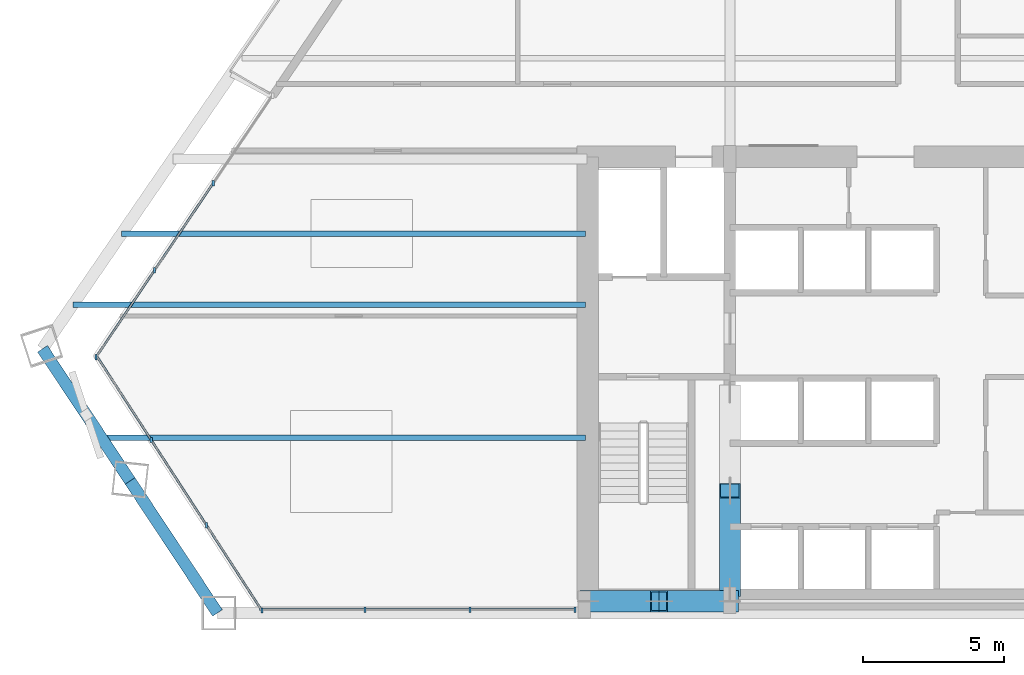
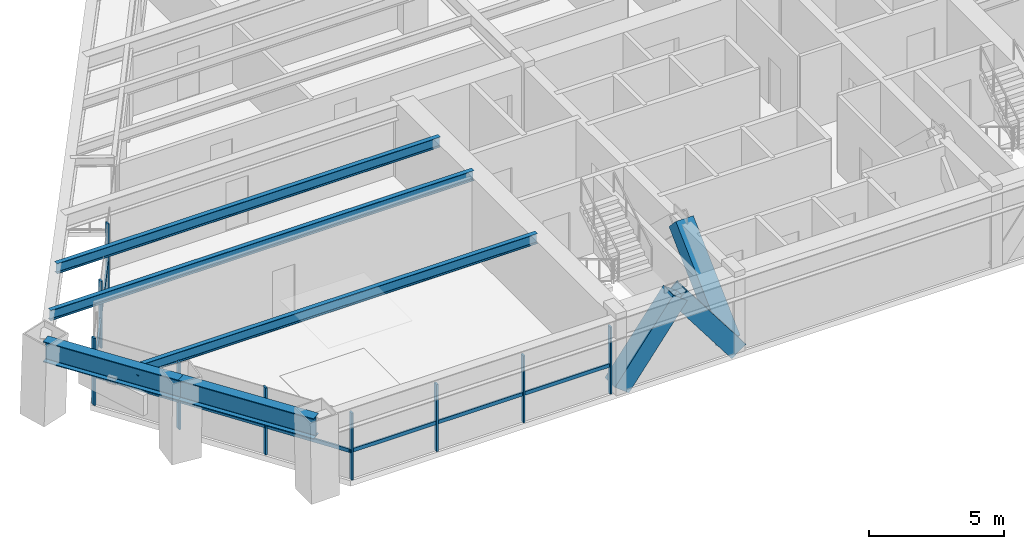
# One storey, part 2 of 14: 20 members, 5 beams, 3 elements without a shape of their own.
"""IFC4 building model written with IfcOpenShell, lengths in metres."""

import ifcopenshell
import ifcopenshell.guid

model = None  # the IFC model being written
_history = None  # IfcOwnerHistory: only IFC2X3 demands one
_inside = {}  # id of a spatial element -> (the spatial element, [elements in it])
_under = {}  # id of a project, library or spatial element -> (it, [spatial elements below it])
_declared = {}  # id of a project -> (the project, [libraries it declares])
_typed = {}  # id of a type object -> (the type object, [elements of that type])
_made_of = {}  # id of a material, layer set ... -> (it, [elements and type objects made of it])


def new_model(schema):
    """Start an empty IFC model of exactly this schema.

    Asked for "IFC4X3", IfcOpenShell would pick the latest addendum, in which some entities
    have other attributes; the version numbers below select the first issue.
    IFC2X3 requires an IfcOwnerHistory on every rooted entity: one is made here for all.
    """
    global model, _history
    if schema == "IFC4X3":
        model = ifcopenshell.file(schema_version=(4, 3, 0, 0))
    else:
        model = ifcopenshell.file(schema=schema)
    _inside.clear()
    _under.clear()
    _declared.clear()
    _typed.clear()
    _made_of.clear()
    _history = None
    if model.schema == "IFC2X3":
        org = make("IfcOrganization", Name="unknown")
        user = make(
            "IfcPersonAndOrganization",
            ThePerson=make("IfcPerson", FamilyName="unknown"),
            TheOrganization=org,
        )
        app = make(
            "IfcApplication",
            ApplicationDeveloper=org,
            Version="unknown",
            ApplicationFullName="unknown",
            ApplicationIdentifier="unknown",
        )
        _history = make(
            "IfcOwnerHistory",
            OwningUser=user,
            OwningApplication=app,
            ChangeAction="ADDED",
            CreationDate=0,
        )
    return model


def make(cls, **values):
    """One entity of the class cls with the attributes given. An attribute that is None is left unset."""
    return model.create_entity(
        cls, **{name: value for name, value in values.items() if value is not None}
    )


def rooted(cls, **values):
    """An entity with a GlobalId (a new one), such as an element, a storey or a relation."""
    return make(cls, GlobalId=ifcopenshell.guid.new(), OwnerHistory=_history, **values)


def si_unit(unit_type, name, prefix=None):
    """IfcSIUnit, for example si_unit("LENGTHUNIT", "METRE", prefix="MILLI")."""
    return make("IfcSIUnit", UnitType=unit_type, Prefix=prefix, Name=name)


def assignment(units):
    """IfcUnitAssignment: the units of a project."""
    return None if units is None else make("IfcUnitAssignment", Units=units)


def point(xyz):
    """IfcCartesianPoint."""
    return None if xyz is None else make("IfcCartesianPoint", Coordinates=xyz)


def direction(xyz):
    """IfcDirection."""
    return None if xyz is None else make("IfcDirection", DirectionRatios=xyz)


def frame(location, z_axis=None, x_axis=None):
    """IfcAxis2Placement3D, a coordinate frame: its origin and axes. An axis left out is left unset."""
    return make(
        "IfcAxis2Placement3D",
        Location=point(location),
        Axis=direction(z_axis),
        RefDirection=direction(x_axis),
    )


def frame_2d(location, x_axis=None):
    """IfcAxis2Placement2D, a coordinate frame in the plane: its origin and x axis."""
    return make(
        "IfcAxis2Placement2D", Location=point(location), RefDirection=direction(x_axis)
    )


def origin():
    """The frame at (0, 0, 0) with its axes left unset."""
    return frame((0.0, 0.0, 0.0))


def origin_2d():
    """The frame at (0, 0) in the plane with its x axis left unset."""
    return frame_2d((0.0, 0.0))


def place(relative_to, where):
    """IfcLocalPlacement: puts the frame where relative to a parent placement (None: the world)."""
    return make(
        "IfcLocalPlacement", PlacementRelTo=relative_to, RelativePlacement=where
    )


def context(
    kind, dimensions, precision=None, world=None, true_north=None, identifier=None
):
    """IfcGeometricRepresentationContext, for example the 3D "Model" context."""
    return make(
        "IfcGeometricRepresentationContext",
        ContextIdentifier=identifier,
        ContextType=kind,
        CoordinateSpaceDimension=dimensions,
        Precision=precision,
        WorldCoordinateSystem=world,
        TrueNorth=true_north,
    )


def subcontext(parent, identifier, kind, view, scale=None):
    """IfcGeometricRepresentationSubContext, for example "Body" below "Model"."""
    return make(
        "IfcGeometricRepresentationSubContext",
        ContextIdentifier=identifier,
        ContextType=kind,
        ParentContext=parent,
        TargetScale=scale,
        TargetView=view,
    )


def project(units=None, contexts=None):
    """IfcProject with its units and contexts."""
    return rooted(
        "IfcProject",
        Name="project",
        RepresentationContexts=contexts,
        UnitsInContext=assignment(units),
    )


def spatial(cls, under=None, at=None, **own):
    """A site, building, storey or space (cls), placed at a placement, below another one or the project."""
    s = rooted(cls, ObjectPlacement=at, **own)
    if under is not None:
        _under.setdefault(under.id(), (under, []))[1].append(s)
    return s


def profile(cls, at=None, kind="AREA", **sizes):
    """A parametric profile (cls). Its sizes go by their IFC names, for example OverallWidth=200.0."""
    return make(cls, ProfileType=kind, Position=at, **sizes)


def rectangle(**sizes):
    """IfcRectangleProfileDef."""
    return profile("IfcRectangleProfileDef", **sizes)


def hollow_rectangle(**sizes):
    """IfcRectangleHollowProfileDef."""
    return profile("IfcRectangleHollowProfileDef", **sizes)


def i_section(**sizes):
    """IfcIShapeProfileDef."""
    return profile("IfcIShapeProfileDef", **sizes)


def extrude(swept, where, along, depth):
    """IfcExtrudedAreaSolid: the profile swept, set in the frame where, extruded along a direction by depth."""
    return make(
        "IfcExtrudedAreaSolid",
        SweptArea=swept,
        Position=where,
        ExtrudedDirection=direction(along),
        Depth=depth,
    )


def shape(context_of_items, identifier, shape_type, items):
    """IfcShapeRepresentation: the items that make up one representation, for example the "Body"."""
    return make(
        "IfcShapeRepresentation",
        ContextOfItems=context_of_items,
        RepresentationIdentifier=identifier,
        RepresentationType=shape_type,
        Items=items,
    )


def source(mapping_origin, context_of_items, identifier, shape_type, items):
    """IfcRepresentationMap: a shape defined once, which mapped items show again and again."""
    return make(
        "IfcRepresentationMap",
        MappingOrigin=mapping_origin,
        MappedRepresentation=shape(context_of_items, identifier, shape_type, items),
    )


def transform(
    local_origin,
    x_axis=None,
    y_axis=None,
    z_axis=None,
    scale=None,
    scale2=None,
    scale3=None,
    uniform=True,
):
    """IfcCartesianTransformationOperator3D, or its non-uniform kind. x_axis, y_axis, z_axis: its Axis1, 2, 3."""
    if uniform:
        return make(
            "IfcCartesianTransformationOperator3D",
            Axis1=direction(x_axis),
            Axis2=direction(y_axis),
            LocalOrigin=point(local_origin),
            Scale=scale,
            Axis3=direction(z_axis),
        )
    return make(
        "IfcCartesianTransformationOperator3DnonUniform",
        Axis1=direction(x_axis),
        Axis2=direction(y_axis),
        LocalOrigin=point(local_origin),
        Scale=scale,
        Axis3=direction(z_axis),
        Scale2=scale2,
        Scale3=scale3,
    )


def mapped(mapping_source, mapping_target):
    """IfcMappedItem: shows the shape of a source again, moved by a transform."""
    return make(
        "IfcMappedItem", MappingSource=mapping_source, MappingTarget=mapping_target
    )


def material(Name=None, Category=None):
    """IfcMaterial."""
    return make("IfcMaterial", Name=Name, Category=Category)


def material_profile(
    of_material, cross_section, Name=None, Category=None, Priority=None
):
    """IfcMaterialProfile: a cross section and its material."""
    return make(
        "IfcMaterialProfile",
        Name=Name,
        Material=of_material,
        Profile=cross_section,
        Priority=Priority,
        Category=Category,
    )


def profile_set(profiles, Name=None, composite=None):
    """IfcMaterialProfileSet."""
    return make(
        "IfcMaterialProfileSet",
        Name=Name,
        MaterialProfiles=profiles,
        CompositeProfile=composite,
    )


def made_of(thing, what):
    """Note that an element or type object is made of a material, layer set ...; save() writes the relation."""
    if what is not None:
        _made_of.setdefault(what.id(), (what, []))[1].append(thing)
    return thing


def type_object(cls, material=None, **own):
    """A type object (cls), such as IfcWallType, which elements share."""
    return made_of(rooted(cls, **own), material)


def type_shapes(of_type, sources):
    """Give a type object the sources (RepresentationMaps) that its elements show as mapped items."""
    of_type.RepresentationMaps = sources


def element(
    cls,
    number,
    at=None,
    inside=None,
    cuts=None,
    type_object=None,
    material=None,
    context=None,
    identifier="Body",
    shape_type=None,
    held_by="IfcProductDefinitionShape",
    body=None,
    shapes=None,
    **own,
):
    """One element of the class cls, such as IfcWall. Its Tag is "e" and its number.

    at: its placement. inside: the storey or other place that contains it. cuts: it is an
    opening in that element (IfcRelVoidsElement). A single representation is given by context,
    identifier, shape_type and body (its items); several are given by shapes. held_by: the class
    of the entity that holds the representations. save() writes the other relations.
    """
    e = rooted(cls, Tag="e%d" % number, ObjectPlacement=at, **own)
    if body is not None:
        shapes = [shape(context, identifier, shape_type, body)]
    if shapes is not None:
        e.Representation = make(held_by, Representations=shapes)
    if inside is not None:
        _inside.setdefault(inside.id(), (inside, []))[1].append(e)
    if cuts is not None:
        rooted(
            "IfcRelVoidsElement", RelatingBuildingElement=cuts, RelatedOpeningElement=e
        )
    if type_object is not None:
        _typed.setdefault(type_object.id(), (type_object, []))[1].append(e)
    return made_of(e, material)


def aggregate(whole, parts):
    """IfcRelAggregates: a whole, such as a stair, and the parts it consists of."""
    return rooted("IfcRelAggregates", RelatingObject=whole, RelatedObjects=parts)


def save(model, path):
    """Write the relations noted so far, then the file.

    IfcRelAggregates (storeys below a building ...), IfcRelContainedInSpatialStructure (elements
    in a storey), IfcRelDefinesByType, IfcRelAssociatesMaterial and IfcRelDeclares: one each for
    every whole, place, type object, material and project.
    """
    for whole, parts in _under.values():
        aggregate(whole, parts)
    for where, things in _inside.values():
        rooted(
            "IfcRelContainedInSpatialStructure",
            RelatedElements=things,
            RelatingStructure=where,
        )
    for kind, things in _typed.values():
        rooted("IfcRelDefinesByType", RelatedObjects=things, RelatingType=kind)
    for what, things in _made_of.values():
        rooted("IfcRelAssociatesMaterial", RelatedObjects=things, RelatingMaterial=what)
    for by, libraries in _declared.values():
        rooted("IfcRelDeclares", RelatingContext=by, RelatedDefinitions=libraries)
    model.write(path)


model = new_model("IFC4")

# Units and contexts
model_context = context("Model", 3, precision=1e-05, world=origin(), true_north=direction((0.0, 1.0)))
body_context = subcontext(model_context, "Body", "Model", "MODEL_VIEW")
ifc_project = project(units=[si_unit("LENGTHUNIT", "METRE"), si_unit("AREAUNIT", "SQUARE_METRE"), si_unit("VOLUMEUNIT", "CUBIC_METRE"), si_unit("PLANEANGLEUNIT", "RADIAN"), si_unit("MASSUNIT", "GRAM", prefix="KILO")], contexts=[model_context])

# Site, building, storey
site_placement = place(None, origin())
site = spatial("IfcSite", under=ifc_project, at=site_placement, CompositionType="ELEMENT")
building_placement = place(site_placement, origin())
building = spatial("IfcBuilding", under=site, at=building_placement, Name="Varnakhor Terracotta Tower", CompositionType="ELEMENT")
storey_placement = place(building_placement, frame((0.0, 0.0, 91.39990234375)))
storey = spatial("IfcBuildingStorey", under=building, at=storey_placement, Name="L22", CompositionType="ELEMENT", Elevation=91.39990234375)

# Members
ifc_material_1 = material(Name="Steel S460", Category="steel")
ifc_material_profile_1 = material_profile(ifc_material_1, hollow_rectangle(XDim=0.75, YDim=0.75, WallThickness=0.044921875, at=origin_2d()), Name="HSS750X750X45")
ifc_profile_set_1 = profile_set([ifc_material_profile_1], Name="Steel S460")
member_type_1 = type_object("IfcMemberType", Name="MBR-MEGA-750", PredefinedType="BRACE", material=ifc_profile_set_1)
shared_shape_1 = source(origin(), body_context, "Body", "SweptSolid", [
    extrude(hollow_rectangle(XDim=0.75, YDim=0.75, WallThickness=0.044921875, at=origin_2d()), origin(), (0.0, 0.0, 1.0), 4.14013671875),
])
type_shapes(member_type_1, [shared_shape_1])
for number, where, z_axis, x_axis, name in (
    (1, (-10.5, 0.419921875, 0.0), (0.603852011179, 0.0, 0.797096448741), (0.0, 1.0, 0.0), "L22 Core Coupled Brace CSWA"),
    (2, (-5.5, 0.419921875, 0.0), (-0.603852011179, 0.0, 0.797096448741), (0.0, -1.0, 0.0), "L22 Core Coupled Brace CSWB"),
):
    element("IfcMember", number, at=place(storey_placement, frame(where, z_axis=z_axis, x_axis=x_axis)), inside=storey, type_object=member_type_1, Name=name, PredefinedType="BRACE", context=body_context, shape_type="MappedRepresentation", body=[
        mapped(shared_shape_1, transform((0.0, 0.0, 0.0), scale=1.0)),
    ])
shared_shape_2 = source(origin(), body_context, "Body", "SweptSolid", [
    extrude(hollow_rectangle(XDim=0.75, YDim=0.75, WallThickness=0.044921875, at=origin_2d()), origin(), (0.0, 0.0, 1.0), 4.792236328125),
])
member_1_placement = place(storey_placement, frame((-5.5, 0.85009765625, 0.0), z_axis=(0.0, 0.725110085518, 0.688632967466), x_axis=(-1.0, 0.0, 0.0)))
element("IfcMember", 3, at=member_1_placement, inside=storey, type_object=member_type_1, Name="L22 Core Coupled Brace CWWA", PredefinedType="BRACE", context=body_context, shape_type="MappedRepresentation", body=[
    mapped(shared_shape_2, transform((0.0, 0.0, 0.0), scale=1.0)),
])

# Beams
ifc_material_2 = material(Name="Steel S355", Category="steel")
ifc_material_profile_2 = material_profile(ifc_material_2, i_section(OverallWidth=0.41796875, OverallDepth=0.927001953125, WebThickness=0.01904296875, FlangeThickness=0.031982421875, FilletRadius=0.01806640625, at=origin_2d()), Name="W36X231")
ifc_profile_set_2 = profile_set([ifc_material_profile_2], Name="Steel S355")
beam_type_1 = type_object("IfcBeamType", Name="BM-W36X231", PredefinedType="BEAM", material=ifc_profile_set_2)
shared_shape_3 = source(origin(), body_context, "Body", "SweptSolid", [
    extrude(i_section(OverallWidth=0.41796875, OverallDepth=0.927001953125, WebThickness=0.01904296875, FlangeThickness=0.031982421875, FilletRadius=0.01806640625, at=origin_2d()), origin(), (0.0, 0.0, 1.0), 5.599609375),
])
for number, where, z_axis, x_axis, name in (
    (4, (-29.789794921875, 9.3369140625, 2.986572265625), (0.552192366042, -0.833716733001, 0.0), (0.833716733001, 0.552192366042, 0.0), "L22 Perimeter Spandrel 7"),
    (5, (-26.69775390625, 4.66845703125, 2.986572265625), (0.552192366042, -0.833716733001, 0.0), (0.833716733001, 0.552192366042, 0.0), "L22 Perimeter Spandrel 8"),
):
    element("IfcBeam", number, at=place(storey_placement, frame(where, z_axis=z_axis, x_axis=x_axis)), inside=storey, type_object=beam_type_1, Name=name, PredefinedType="BEAM", context=body_context, shape_type="MappedRepresentation", body=[
        mapped(shared_shape_3, transform((0.0, 0.0, 0.0), scale=1.0)),
    ])
ifc_material_profile_3 = material_profile(ifc_material_2, i_section(OverallWidth=0.19189453125, OverallDepth=0.462890625, WebThickness=0.010498046875, FlangeThickness=0.017578125, FilletRadius=0.01806640625, at=origin_2d()), Name="W18X60")
ifc_profile_set_3 = profile_set([ifc_material_profile_3], Name="Steel S355")
beam_type_2 = type_object("IfcBeamType", Name="JST-W18X60", PredefinedType="JOIST", material=ifc_profile_set_3)
shared_shape_4 = source(origin(), body_context, "Body", "SweptSolid", [
    extrude(i_section(OverallWidth=0.19189453125, OverallDepth=0.462890625, WebThickness=0.010498046875, FlangeThickness=0.017578125, FilletRadius=0.01806640625, at=origin_2d()), origin(), (0.0, 0.0, 1.0), 17.112060546875),
])
beam_1_placement = place(storey_placement, frame((-27.712158203125, 6.199951171875, 3.218505859375), z_axis=(1.0, 0.0, 0.0), x_axis=(0.0, 1.0, 0.0)))
element("IfcBeam", 6, at=beam_1_placement, inside=storey, type_object=beam_type_2, Name="L22 Floor Joist W1", PredefinedType="JOIST", context=body_context, shape_type="MappedRepresentation", body=[
    mapped(shared_shape_4, transform((0.0, 0.0, 0.0), scale=1.0)),
])
shared_shape_5 = source(origin(), body_context, "Body", "SweptSolid", [
    extrude(i_section(OverallWidth=0.19189453125, OverallDepth=0.462890625, WebThickness=0.010498046875, FlangeThickness=0.017578125, FilletRadius=0.01806640625, at=origin_2d()), origin(), (0.0, 0.0, 1.0), 18.11669921875),
])
beam_2_placement = place(storey_placement, frame((-28.716796875, 10.89990234375, 3.218505859375), z_axis=(1.0, 0.0, 0.0), x_axis=(0.0, 1.0, 0.0)))
element("IfcBeam", 7, at=beam_2_placement, inside=storey, type_object=beam_type_2, Name="L22 Floor Joist W2", PredefinedType="JOIST", context=body_context, shape_type="MappedRepresentation", body=[
    mapped(shared_shape_5, transform((0.0, 0.0, 0.0), scale=1.0)),
])
shared_shape_6 = source(origin(), body_context, "Body", "SweptSolid", [
    extrude(i_section(OverallWidth=0.19189453125, OverallDepth=0.462890625, WebThickness=0.010498046875, FlangeThickness=0.017578125, FilletRadius=0.01806640625, at=origin_2d()), origin(), (0.0, 0.0, 1.0), 16.400390625),
])
beam_3_placement = place(storey_placement, frame((-27.00048828125, 13.39990234375, 3.218505859375), z_axis=(1.0, 0.0, 0.0), x_axis=(0.0, 1.0, 0.0)))
element("IfcBeam", 8, at=beam_3_placement, inside=storey, type_object=beam_type_2, Name="L22 Floor Joist W3", PredefinedType="JOIST", context=body_context, shape_type="MappedRepresentation", body=[
    mapped(shared_shape_6, transform((0.0, 0.0, 0.0), scale=1.0)),
])

# Curtain wall, members
ifc_material_3 = material(Name="Anodised Aluminium Curtain Wall System", Category="aluminium")
curtain_wall_type = type_object("IfcCurtainWallType", Name="CW-SYS-LOW-OFFICE", PredefinedType="NOTDEFINED", material=ifc_material_3)
curtain_wall_1_placement = place(storey_placement, origin())
curtain_wall_1 = element("IfcCurtainWall", 9, at=curtain_wall_1_placement, inside=storey, type_object=curtain_wall_type, Name="L22 W Facet Curtain Wall 1", PredefinedType="NOTDEFINED")
ifc_material_4 = material(Name="Anodised Aluminium 6063-T6", Category="aluminium")
ifc_material_profile_4 = material_profile(ifc_material_4, rectangle(XDim=0.074951171875, YDim=0.18505859375, at=origin_2d()), Name="ALU MULLION 75x185")
ifc_profile_set_4 = profile_set([ifc_material_profile_4], Name="Anodised Aluminium 6063-T6")
member_type_2 = type_object("IfcMemberType", Name="CWM-02", PredefinedType="MULLION", material=ifc_profile_set_4)
shared_shape_7 = source(origin(), body_context, "Body", "SweptSolid", [
    extrude(rectangle(XDim=0.074951171875, YDim=0.18505859375, at=origin_2d()), origin(), (0.0, 0.0, 1.0), 3.030029296875),
])
type_shapes(member_type_2, [shared_shape_7])
member_2_placement = place(storey_placement, frame((-27.9013671875, 9.04150390625, 0.0), z_axis=(0.0, 0.0, 1.0), x_axis=(1.0, 0.0, 0.0)))
member_2 = element("IfcMember", 10, at=member_2_placement, type_object=member_type_2, Name="L22 W Facet Curtain Wall 1 Mullion 1", PredefinedType="MULLION", context=body_context, shape_type="MappedRepresentation", body=[
    mapped(shared_shape_7, transform((0.0, 0.0, 0.0), scale=1.0)),
])
member_3_placement = place(storey_placement, frame((-25.830078125, 12.115966796875, 0.0), z_axis=(0.0, 0.0, 1.0), x_axis=(1.0, 0.0, 0.0)))
member_3 = element("IfcMember", 11, at=member_3_placement, type_object=member_type_2, Name="L22 W Facet Curtain Wall 1 Mullion 2", PredefinedType="MULLION", context=body_context, shape_type="MappedRepresentation", body=[
    mapped(shared_shape_7, transform((0.0, 0.0, 0.0), scale=1.0)),
])
member_4_placement = place(storey_placement, frame((-23.7587890625, 15.1904296875, 0.0), z_axis=(0.0, 0.0, 1.0), x_axis=(1.0, 0.0, 0.0)))
member_4 = element("IfcMember", 12, at=member_4_placement, type_object=member_type_2, Name="L22 W Facet Curtain Wall 1 Mullion 3", PredefinedType="MULLION", context=body_context, shape_type="MappedRepresentation", body=[
    mapped(shared_shape_7, transform((0.0, 0.0, 0.0), scale=1.0)),
])

curtain_wall_2_placement = place(storey_placement, origin())
curtain_wall_2 = element("IfcCurtainWall", 13, at=curtain_wall_2_placement, inside=storey, type_object=curtain_wall_type, Name="L22 South Wing Curtain Wall SSW", PredefinedType="NOTDEFINED")
member_5_placement = place(storey_placement, frame((-10.969970703125, 0.1201171875, 0.0), z_axis=(0.0, 0.0, 1.0), x_axis=(1.0, 0.0, 0.0)))
member_5 = element("IfcMember", 14, at=member_5_placement, type_object=member_type_2, Name="L22 South Wing Curtain Wall SSW Mullion 1", PredefinedType="MULLION", context=body_context, shape_type="MappedRepresentation", body=[
    mapped(shared_shape_7, transform((0.0, 0.0, 0.0), scale=1.0)),
])
member_6_placement = place(storey_placement, frame((-14.685302734375, 0.1201171875, 0.0), z_axis=(0.0, 0.0, 1.0), x_axis=(1.0, 0.0, 0.0)))
member_6 = element("IfcMember", 15, at=member_6_placement, type_object=member_type_2, Name="L22 South Wing Curtain Wall SSW Mullion 2", PredefinedType="MULLION", context=body_context, shape_type="MappedRepresentation", body=[
    mapped(shared_shape_7, transform((0.0, 0.0, 0.0), scale=1.0)),
])
member_7_placement = place(storey_placement, frame((-18.400390625, 0.1201171875, 0.0), z_axis=(0.0, 0.0, 1.0), x_axis=(1.0, 0.0, 0.0)))
member_7 = element("IfcMember", 16, at=member_7_placement, type_object=member_type_2, Name="L22 South Wing Curtain Wall SSW Mullion 3", PredefinedType="MULLION", context=body_context, shape_type="MappedRepresentation", body=[
    mapped(shared_shape_7, transform((0.0, 0.0, 0.0), scale=1.0)),
])

curtain_wall_3_placement = place(storey_placement, origin())
curtain_wall_3 = element("IfcCurtainWall", 17, at=curtain_wall_3_placement, inside=storey, type_object=curtain_wall_type, Name="L22 Facet Curtain Wall 6", PredefinedType="NOTDEFINED")
member_8_placement = place(storey_placement, frame((-22.041259765625, 0.090576171875, 0.0), z_axis=(0.0, 0.0, 1.0), x_axis=(1.0, 0.0, 0.0)))
member_8 = element("IfcMember", 18, at=member_8_placement, type_object=member_type_2, Name="L22 Facet Curtain Wall 6 Mullion 1", PredefinedType="MULLION", context=body_context, shape_type="MappedRepresentation", body=[
    mapped(shared_shape_7, transform((0.0, 0.0, 0.0), scale=1.0)),
])
member_9_placement = place(storey_placement, frame((-23.994384765625, 3.1015625, 0.0), z_axis=(0.0, 0.0, 1.0), x_axis=(1.0, 0.0, 0.0)))
member_9 = element("IfcMember", 19, at=member_9_placement, type_object=member_type_2, Name="L22 Facet Curtain Wall 6 Mullion 2", PredefinedType="MULLION", context=body_context, shape_type="MappedRepresentation", body=[
    mapped(shared_shape_7, transform((0.0, 0.0, 0.0), scale=1.0)),
])
member_10_placement = place(storey_placement, frame((-25.947509765625, 6.112548828125, 0.0), z_axis=(0.0, 0.0, 1.0), x_axis=(1.0, 0.0, 0.0)))
member_10 = element("IfcMember", 20, at=member_10_placement, type_object=member_type_2, Name="L22 Facet Curtain Wall 6 Mullion 3", PredefinedType="MULLION", context=body_context, shape_type="MappedRepresentation", body=[
    mapped(shared_shape_7, transform((0.0, 0.0, 0.0), scale=1.0)),
])

# Member
ifc_material_profile_5 = material_profile(ifc_material_4, rectangle(XDim=0.074951171875, YDim=0.1650390625, at=origin_2d()), Name="ALU TRANSOM 75x165")
ifc_profile_set_5 = profile_set([ifc_material_profile_5], Name="Anodised Aluminium 6063-T6")
member_type_3 = type_object("IfcMemberType", Name="CWT-02", PredefinedType="USERDEFINED", material=ifc_profile_set_5)
shared_shape_8 = source(origin(), body_context, "Body", "SweptSolid", [
    extrude(rectangle(XDim=0.074951171875, YDim=0.1650390625, at=origin_2d()), origin(), (0.0, 0.0, 1.0), 3.70703125),
])
member_11_placement = place(storey_placement, frame((-27.9013671875, 9.04150390625, 1.272705078125), z_axis=(0.558736295373, 0.829345375723, 0.0), x_axis=(-0.829345375723, 0.558736295373, 0.0)))
member_11 = element("IfcMember", 21, at=member_11_placement, type_object=member_type_3, Name="L22 W Facet Curtain Wall 1 Transom 1", ObjectType="TRANSOM", PredefinedType="USERDEFINED", context=body_context, shape_type="MappedRepresentation", body=[
    mapped(shared_shape_8, transform((0.0, 0.0, 0.0), scale=1.0)),
])

member_12_placement = place(storey_placement, frame((-25.830078125, 12.115966796875, 1.272705078125), z_axis=(0.558736295373, 0.829345375723, 0.0), x_axis=(-0.829345375723, 0.558736295373, 0.0)))
member_12 = element("IfcMember", 22, at=member_12_placement, type_object=member_type_3, Name="L22 W Facet Curtain Wall 1 Transom 2", ObjectType="TRANSOM", PredefinedType="USERDEFINED", context=body_context, shape_type="MappedRepresentation", body=[
    mapped(shared_shape_8, transform((0.0, 0.0, 0.0), scale=1.0)),
])

aggregate(curtain_wall_1, [member_2, member_11, member_3, member_12, member_4])

shared_shape_9 = source(origin(), body_context, "Body", "SweptSolid", [
    extrude(rectangle(XDim=0.074951171875, YDim=0.1650390625, at=origin_2d()), origin(), (0.0, 0.0, 1.0), 3.71533203125),
])
member_13_placement = place(storey_placement, frame((-10.969970703125, 0.1201171875, 1.272705078125), z_axis=(-1.0, 0.0, 0.0), x_axis=(0.0, -1.0, 0.0)))
member_13 = element("IfcMember", 23, at=member_13_placement, type_object=member_type_3, Name="L22 South Wing Curtain Wall SSW Transom 1", ObjectType="TRANSOM", PredefinedType="USERDEFINED", context=body_context, shape_type="MappedRepresentation", body=[
    mapped(shared_shape_9, transform((0.0, 0.0, 0.0), scale=1.0)),
])

shared_shape_10 = source(origin(), body_context, "Body", "SweptSolid", [
    extrude(rectangle(XDim=0.074951171875, YDim=0.1650390625, at=origin_2d()), origin(), (0.0, 0.0, 1.0), 3.715087890625),
])
member_14_placement = place(storey_placement, frame((-14.685302734375, 0.1201171875, 1.272705078125), z_axis=(-1.0, 0.0, 0.0), x_axis=(0.0, -1.0, 0.0)))
member_14 = element("IfcMember", 24, at=member_14_placement, type_object=member_type_3, Name="L22 South Wing Curtain Wall SSW Transom 2", ObjectType="TRANSOM", PredefinedType="USERDEFINED", context=body_context, shape_type="MappedRepresentation", body=[
    mapped(shared_shape_10, transform((0.0, 0.0, 0.0), scale=1.0)),
])

member_15_placement = place(storey_placement, frame((-18.400390625, 0.1201171875, 1.272705078125), z_axis=(-1.0, 0.0, 0.0), x_axis=(0.0, -1.0, 0.0)))
member_15 = element("IfcMember", 25, at=member_15_placement, type_object=member_type_3, Name="L22 South Wing Curtain Wall SSW Transom 3", ObjectType="TRANSOM", PredefinedType="USERDEFINED", context=body_context, shape_type="MappedRepresentation", body=[
    mapped(shared_shape_10, transform((0.0, 0.0, 0.0), scale=1.0)),
])

aggregate(curtain_wall_2, [member_5, member_13, member_6, member_14, member_7, member_15])

shared_shape_11 = source(origin(), body_context, "Body", "SweptSolid", [
    extrude(rectangle(XDim=0.074951171875, YDim=0.1650390625, at=origin_2d()), origin(), (0.0, 0.0, 1.0), 3.5888671875),
])
member_16_placement = place(storey_placement, frame((-22.041259765625, 0.090576171875, 1.272705078125), z_axis=(-0.544201457476, 0.838954571882, 0.0), x_axis=(-0.838954571882, -0.544201457476, 0.0)))
member_16 = element("IfcMember", 26, at=member_16_placement, type_object=member_type_3, Name="L22 Facet Curtain Wall 6 Transom 1", ObjectType="TRANSOM", PredefinedType="USERDEFINED", context=body_context, shape_type="MappedRepresentation", body=[
    mapped(shared_shape_11, transform((0.0, 0.0, 0.0), scale=1.0)),
])

member_17_placement = place(storey_placement, frame((-23.994384765625, 3.1015625, 1.272705078125), z_axis=(-0.544201457476, 0.838954571882, 0.0), x_axis=(-0.838954571882, -0.544201457476, 0.0)))
member_17 = element("IfcMember", 27, at=member_17_placement, type_object=member_type_3, Name="L22 Facet Curtain Wall 6 Transom 2", ObjectType="TRANSOM", PredefinedType="USERDEFINED", context=body_context, shape_type="MappedRepresentation", body=[
    mapped(shared_shape_11, transform((0.0, 0.0, 0.0), scale=1.0)),
])

shared_shape_12 = source(origin(), body_context, "Body", "SweptSolid", [
    extrude(rectangle(XDim=0.074951171875, YDim=0.1650390625, at=origin_2d()), origin(), (0.0, 0.0, 1.0), 3.589111328125),
])
member_18_placement = place(storey_placement, frame((-25.947509765625, 6.112548828125, 1.272705078125), z_axis=(-0.544170401278, 0.83897471617, 0.0), x_axis=(-0.83897471617, -0.544170401278, 0.0)))
member_18 = element("IfcMember", 28, at=member_18_placement, type_object=member_type_3, Name="L22 Facet Curtain Wall 6 Transom 3", ObjectType="TRANSOM", PredefinedType="USERDEFINED", context=body_context, shape_type="MappedRepresentation", body=[
    mapped(shared_shape_12, transform((0.0, 0.0, 0.0), scale=1.0)),
])

aggregate(curtain_wall_3, [member_8, member_16, member_9, member_17, member_10, member_18])

save(model, "model.ifc")
